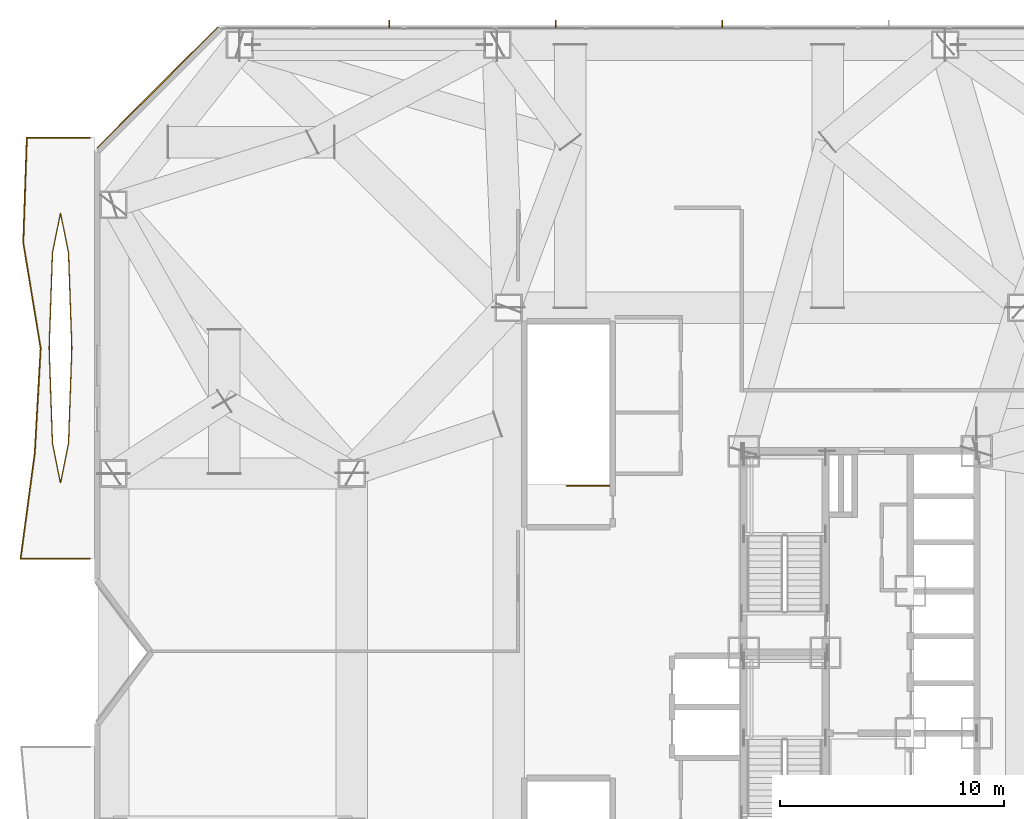
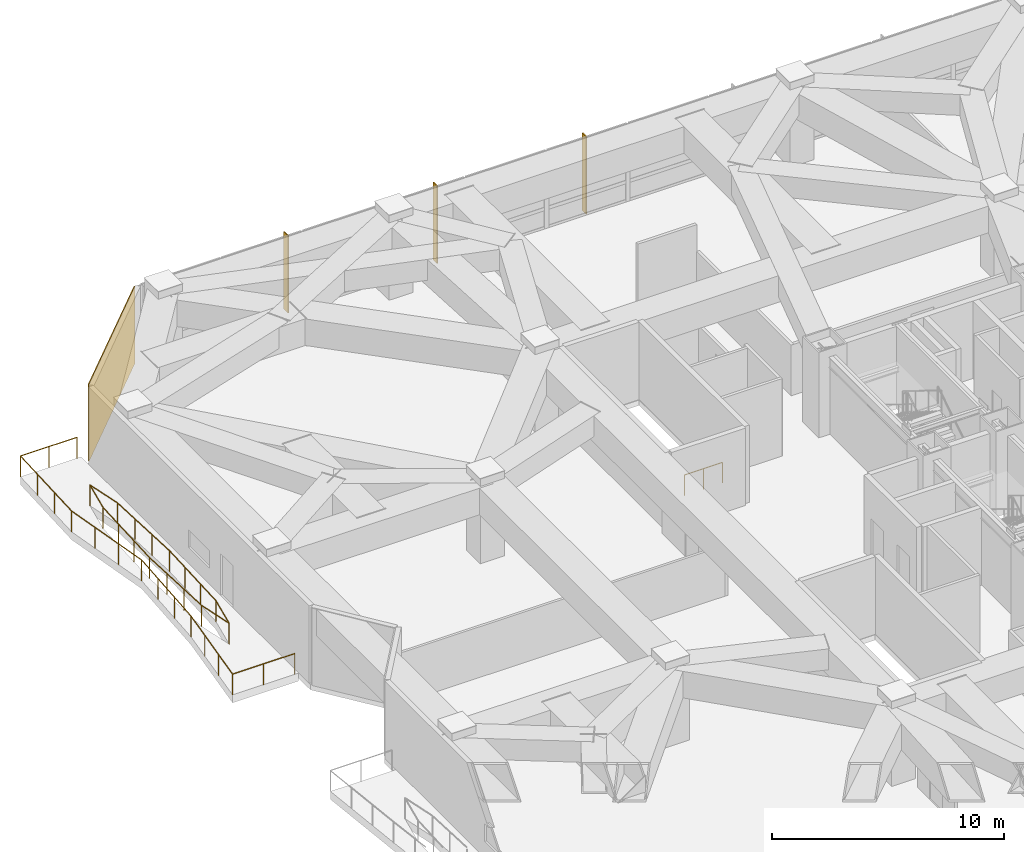
# One storey, part 25 of 27: 5 railings, 3 shading devices, 1 covering.
"""IFC4 building model written with IfcOpenShell, lengths in metres."""

import ifcopenshell
import ifcopenshell.guid

model = None  # the IFC model being written
_history = None  # IfcOwnerHistory: only IFC2X3 demands one
_inside = {}  # id of a spatial element -> (the spatial element, [elements in it])
_under = {}  # id of a project, library or spatial element -> (it, [spatial elements below it])
_declared = {}  # id of a project -> (the project, [libraries it declares])
_typed = {}  # id of a type object -> (the type object, [elements of that type])
_made_of = {}  # id of a material, layer set ... -> (it, [elements and type objects made of it])


def new_model(schema):
    """Start an empty IFC model of exactly this schema.

    Asked for "IFC4X3", IfcOpenShell would pick the latest addendum, in which some entities
    have other attributes; the version numbers below select the first issue.
    IFC2X3 requires an IfcOwnerHistory on every rooted entity: one is made here for all.
    """
    global model, _history
    if schema == "IFC4X3":
        model = ifcopenshell.file(schema_version=(4, 3, 0, 0))
    else:
        model = ifcopenshell.file(schema=schema)
    _inside.clear()
    _under.clear()
    _declared.clear()
    _typed.clear()
    _made_of.clear()
    _history = None
    if model.schema == "IFC2X3":
        org = make("IfcOrganization", Name="unknown")
        user = make(
            "IfcPersonAndOrganization",
            ThePerson=make("IfcPerson", FamilyName="unknown"),
            TheOrganization=org,
        )
        app = make(
            "IfcApplication",
            ApplicationDeveloper=org,
            Version="unknown",
            ApplicationFullName="unknown",
            ApplicationIdentifier="unknown",
        )
        _history = make(
            "IfcOwnerHistory",
            OwningUser=user,
            OwningApplication=app,
            ChangeAction="ADDED",
            CreationDate=0,
        )
    return model


def make(cls, **values):
    """One entity of the class cls with the attributes given. An attribute that is None is left unset."""
    return model.create_entity(
        cls, **{name: value for name, value in values.items() if value is not None}
    )


def rooted(cls, **values):
    """An entity with a GlobalId (a new one), such as an element, a storey or a relation."""
    return make(cls, GlobalId=ifcopenshell.guid.new(), OwnerHistory=_history, **values)


def si_unit(unit_type, name, prefix=None):
    """IfcSIUnit, for example si_unit("LENGTHUNIT", "METRE", prefix="MILLI")."""
    return make("IfcSIUnit", UnitType=unit_type, Prefix=prefix, Name=name)


def assignment(units):
    """IfcUnitAssignment: the units of a project."""
    return None if units is None else make("IfcUnitAssignment", Units=units)


def point(xyz):
    """IfcCartesianPoint."""
    return None if xyz is None else make("IfcCartesianPoint", Coordinates=xyz)


def direction(xyz):
    """IfcDirection."""
    return None if xyz is None else make("IfcDirection", DirectionRatios=xyz)


def frame(location, z_axis=None, x_axis=None):
    """IfcAxis2Placement3D, a coordinate frame: its origin and axes. An axis left out is left unset."""
    return make(
        "IfcAxis2Placement3D",
        Location=point(location),
        Axis=direction(z_axis),
        RefDirection=direction(x_axis),
    )


def frame_2d(location, x_axis=None):
    """IfcAxis2Placement2D, a coordinate frame in the plane: its origin and x axis."""
    return make(
        "IfcAxis2Placement2D", Location=point(location), RefDirection=direction(x_axis)
    )


def origin():
    """The frame at (0, 0, 0) with its axes left unset."""
    return frame((0.0, 0.0, 0.0))


def origin_2d():
    """The frame at (0, 0) in the plane with its x axis left unset."""
    return frame_2d((0.0, 0.0))


def place(relative_to, where):
    """IfcLocalPlacement: puts the frame where relative to a parent placement (None: the world)."""
    return make(
        "IfcLocalPlacement", PlacementRelTo=relative_to, RelativePlacement=where
    )


def context(
    kind, dimensions, precision=None, world=None, true_north=None, identifier=None
):
    """IfcGeometricRepresentationContext, for example the 3D "Model" context."""
    return make(
        "IfcGeometricRepresentationContext",
        ContextIdentifier=identifier,
        ContextType=kind,
        CoordinateSpaceDimension=dimensions,
        Precision=precision,
        WorldCoordinateSystem=world,
        TrueNorth=true_north,
    )


def subcontext(parent, identifier, kind, view, scale=None):
    """IfcGeometricRepresentationSubContext, for example "Body" below "Model"."""
    return make(
        "IfcGeometricRepresentationSubContext",
        ContextIdentifier=identifier,
        ContextType=kind,
        ParentContext=parent,
        TargetScale=scale,
        TargetView=view,
    )


def project(units=None, contexts=None):
    """IfcProject with its units and contexts."""
    return rooted(
        "IfcProject",
        Name="project",
        RepresentationContexts=contexts,
        UnitsInContext=assignment(units),
    )


def spatial(cls, under=None, at=None, **own):
    """A site, building, storey or space (cls), placed at a placement, below another one or the project."""
    s = rooted(cls, ObjectPlacement=at, **own)
    if under is not None:
        _under.setdefault(under.id(), (under, []))[1].append(s)
    return s


def profile(cls, at=None, kind="AREA", **sizes):
    """A parametric profile (cls). Its sizes go by their IFC names, for example OverallWidth=200.0."""
    return make(cls, ProfileType=kind, Position=at, **sizes)


def rectangle(**sizes):
    """IfcRectangleProfileDef."""
    return profile("IfcRectangleProfileDef", **sizes)


def circle(**sizes):
    """IfcCircleProfileDef."""
    return profile("IfcCircleProfileDef", **sizes)


def extrude(swept, where, along, depth):
    """IfcExtrudedAreaSolid: the profile swept, set in the frame where, extruded along a direction by depth."""
    return make(
        "IfcExtrudedAreaSolid",
        SweptArea=swept,
        Position=where,
        ExtrudedDirection=direction(along),
        Depth=depth,
    )


def shape(context_of_items, identifier, shape_type, items):
    """IfcShapeRepresentation: the items that make up one representation, for example the "Body"."""
    return make(
        "IfcShapeRepresentation",
        ContextOfItems=context_of_items,
        RepresentationIdentifier=identifier,
        RepresentationType=shape_type,
        Items=items,
    )


def material(Name=None, Category=None):
    """IfcMaterial."""
    return make("IfcMaterial", Name=Name, Category=Category)


def layer(
    of_material, thickness, ventilated=None, Name=None, Category=None, Priority=None
):
    """IfcMaterialLayer: one layer of a wall or slab, of a material (None: an air gap)."""
    return make(
        "IfcMaterialLayer",
        Material=of_material,
        LayerThickness=thickness,
        IsVentilated=ventilated,
        Name=Name,
        Category=Category,
        Priority=Priority,
    )


def layer_set(layers, Name=None):
    """IfcMaterialLayerSet."""
    return make("IfcMaterialLayerSet", MaterialLayers=layers, LayerSetName=Name)


def made_of(thing, what):
    """Note that an element or type object is made of a material, layer set ...; save() writes the relation."""
    if what is not None:
        _made_of.setdefault(what.id(), (what, []))[1].append(thing)
    return thing


def type_object(cls, material=None, **own):
    """A type object (cls), such as IfcWallType, which elements share."""
    return made_of(rooted(cls, **own), material)


def element(
    cls,
    number,
    at=None,
    inside=None,
    cuts=None,
    type_object=None,
    material=None,
    context=None,
    identifier="Body",
    shape_type=None,
    held_by="IfcProductDefinitionShape",
    body=None,
    shapes=None,
    **own,
):
    """One element of the class cls, such as IfcWall. Its Tag is "e" and its number.

    at: its placement. inside: the storey or other place that contains it. cuts: it is an
    opening in that element (IfcRelVoidsElement). A single representation is given by context,
    identifier, shape_type and body (its items); several are given by shapes. held_by: the class
    of the entity that holds the representations. save() writes the other relations.
    """
    e = rooted(cls, Tag="e%d" % number, ObjectPlacement=at, **own)
    if body is not None:
        shapes = [shape(context, identifier, shape_type, body)]
    if shapes is not None:
        e.Representation = make(held_by, Representations=shapes)
    if inside is not None:
        _inside.setdefault(inside.id(), (inside, []))[1].append(e)
    if cuts is not None:
        rooted(
            "IfcRelVoidsElement", RelatingBuildingElement=cuts, RelatedOpeningElement=e
        )
    if type_object is not None:
        _typed.setdefault(type_object.id(), (type_object, []))[1].append(e)
    return made_of(e, material)


def aggregate(whole, parts):
    """IfcRelAggregates: a whole, such as a stair, and the parts it consists of."""
    return rooted("IfcRelAggregates", RelatingObject=whole, RelatedObjects=parts)


def save(model, path):
    """Write the relations noted so far, then the file.

    IfcRelAggregates (storeys below a building ...), IfcRelContainedInSpatialStructure (elements
    in a storey), IfcRelDefinesByType, IfcRelAssociatesMaterial and IfcRelDeclares: one each for
    every whole, place, type object, material and project.
    """
    for whole, parts in _under.values():
        aggregate(whole, parts)
    for where, things in _inside.values():
        rooted(
            "IfcRelContainedInSpatialStructure",
            RelatedElements=things,
            RelatingStructure=where,
        )
    for kind, things in _typed.values():
        rooted("IfcRelDefinesByType", RelatedObjects=things, RelatingType=kind)
    for what, things in _made_of.values():
        rooted("IfcRelAssociatesMaterial", RelatedObjects=things, RelatingMaterial=what)
    for by, libraries in _declared.values():
        rooted("IfcRelDeclares", RelatingContext=by, RelatedDefinitions=libraries)
    model.write(path)


model = new_model("IFC4")

# Units and contexts
model_context = context("Model", 3, precision=1e-05, world=origin(), true_north=direction((0.0, 1.0)))
body_context = subcontext(model_context, "Body", "Model", "MODEL_VIEW")
ifc_project = project(units=[si_unit("LENGTHUNIT", "METRE"), si_unit("AREAUNIT", "SQUARE_METRE"), si_unit("VOLUMEUNIT", "CUBIC_METRE"), si_unit("PLANEANGLEUNIT", "RADIAN"), si_unit("MASSUNIT", "GRAM", prefix="KILO")], contexts=[model_context])

# Site, building, storey
site_placement = place(None, origin())
site = spatial("IfcSite", under=ifc_project, at=site_placement, CompositionType="ELEMENT")
building_placement = place(site_placement, origin())
building = spatial("IfcBuilding", under=site, at=building_placement, Name="Khamvora Tower", CompositionType="ELEMENT")
storey_placement = place(building_placement, frame((0.0, 0.0, 28.800048828125)))
storey = spatial("IfcBuildingStorey", under=building, at=storey_placement, Name="L06", CompositionType="ELEMENT", Elevation=28.800048828125)

# Covering
ifc_material_1 = material(Name="Pale Anodised Aluminium Rainscreen Panel", Category="aluminium")
ifc_layer = layer(ifc_material_1, 0.044921875)
ifc_layer_set = layer_set([ifc_layer], Name="Pale Anodised Aluminium Rainscreen Panel")
covering_type = type_object("IfcCoveringType", Name="COV-CLD-ALU", PredefinedType="CLADDING", material=ifc_layer_set)
covering_placement = place(storey_placement, frame((2.81494140625, 53.239990234375, 0.0), z_axis=(0.0, 0.0, 1.0), x_axis=(0.707106781187, 0.707106781187, 0.0)))
element("IfcCovering", 1, at=covering_placement, inside=storey, type_object=covering_type, Name="L06 chamfer rainscreen cladding 06.1", PredefinedType="CLADDING", context=body_context, shape_type="SweptSolid", body=[
    extrude(rectangle(XDim=7.64306640625, YDim=0.044921875, at=origin_2d()), origin(), (0.0, 0.0, 1.0), 4.080078125),
])

# Railings
ifc_material_2 = material(Name="Stainless Steel 316 and Laminated Glass", Category="steel")
railing_type_1 = type_object("IfcRailingType", Name="RAL-GAL-1120", PredefinedType="GUARDRAIL", material=ifc_material_2)
railing_1_placement = place(storey_placement, frame((-0.199951171875, 32.199951171875, 0.0)))
element("IfcRailing", 2, at=railing_1_placement, inside=storey, type_object=railing_type_1, Name="L06 lens gallery south perimeter guardrail WL2", PredefinedType="GUARDRAIL", context=body_context, shape_type="SweptSolid", body=[
    extrude(circle(Radius=0.02392578125, at=origin_2d()), frame((0.0, 0.0, 1.09619140625), z_axis=(-1.0, 0.0, 0.0), x_axis=(0.0, -1.0, 0.0)), (0.0, 0.0, 1.0), 3.10009765625),
    extrude(circle(Radius=0.02392578125, at=origin_2d()), frame((-3.10009765625, 0.0, 1.09619140625), z_axis=(0.133488830384, 0.991050317674, 0.0), x_axis=(-0.991050317674, 0.133488830384, 0.0)), (0.0, 0.0, 1.0), 4.742431640625),
    extrude(circle(Radius=0.02392578125, at=origin_2d()), frame((-2.467041015625, 4.699951171875, 1.09619140625), z_axis=(0.055854908118, 0.998438896097, 0.0), x_axis=(-0.998438896097, 0.055854908118, 0.0)), (0.0, 0.0, 1.0), 4.70751953125),
    extrude(circle(Radius=0.02099609375, at=origin_2d()), origin(), (0.0, 0.0, 1.0), 1.072021484375),
    extrude(circle(Radius=0.02099609375, at=origin_2d()), frame((-1.550048828125, 0.0, 0.0)), (0.0, 0.0, 1.0), 1.072021484375),
    extrude(circle(Radius=0.02099609375, at=origin_2d()), frame((-3.10009765625, 0.0, 0.0)), (0.0, 0.0, 1.0), 1.072021484375),
    extrude(circle(Radius=0.02099609375, at=origin_2d()), frame((-2.88916015625, 1.566650390625, 0.0)), (0.0, 0.0, 1.0), 1.072021484375),
    extrude(circle(Radius=0.02099609375, at=origin_2d()), frame((-2.677978515625, 3.13330078125, 0.0)), (0.0, 0.0, 1.0), 1.072021484375),
    extrude(circle(Radius=0.02099609375, at=origin_2d()), frame((-2.467041015625, 4.699951171875, 0.0)), (0.0, 0.0, 1.0), 1.072021484375),
    extrude(circle(Radius=0.02099609375, at=origin_2d()), frame((-2.37939453125, 6.2666015625, 0.0)), (0.0, 0.0, 1.0), 1.072021484375),
    extrude(circle(Radius=0.02099609375, at=origin_2d()), frame((-2.291748046875, 7.83349609375, 0.0)), (0.0, 0.0, 1.0), 1.072021484375),
    extrude(circle(Radius=0.02099609375, at=origin_2d()), frame((-2.2041015625, 9.400146484375, 0.0)), (0.0, 0.0, 1.0), 1.072021484375),
])
railing_2_placement = place(storey_placement, frame((-2.404052734375, 41.60009765625, 0.0)))
element("IfcRailing", 3, at=railing_2_placement, inside=storey, type_object=railing_type_1, Name="L06 lens gallery north perimeter guardrail WL2", PredefinedType="GUARDRAIL", context=body_context, shape_type="SweptSolid", body=[
    extrude(circle(Radius=0.02392578125, at=origin_2d()), frame((0.0, 0.0, 1.09619140625), z_axis=(-0.162877863416, 0.986646239343, 0.0), x_axis=(-0.986646239343, -0.162877863416, 0.0)), (0.0, 0.0, 1.0), 4.763671875),
    extrude(circle(Radius=0.02392578125, at=origin_2d()), frame((-0.77587890625, 4.699951171875, 1.09619140625), z_axis=(0.033797106291, 0.99942871462, 0.0), x_axis=(-0.99942871462, 0.033797106291, 0.0)), (0.0, 0.0, 1.0), 4.70263671875),
    extrude(circle(Radius=0.02392578125, at=origin_2d()), frame((-0.616943359375, 9.39990234375, 1.09619140625), z_axis=(1.0, 0.0, 0.0), x_axis=(0.0, 1.0, 0.0)), (0.0, 0.0, 1.0), 2.821044921875),
    extrude(circle(Radius=0.02099609375, at=origin_2d()), origin(), (0.0, 0.0, 1.0), 1.072021484375),
    extrude(circle(Radius=0.02099609375, at=origin_2d()), frame((-0.258544921875, 1.566650390625, 0.0)), (0.0, 0.0, 1.0), 1.072021484375),
    extrude(circle(Radius=0.02099609375, at=origin_2d()), frame((-0.517333984375, 3.13330078125, 0.0)), (0.0, 0.0, 1.0), 1.072021484375),
    extrude(circle(Radius=0.02099609375, at=origin_2d()), frame((-0.77587890625, 4.699951171875, 0.0)), (0.0, 0.0, 1.0), 1.072021484375),
    extrude(circle(Radius=0.02099609375, at=origin_2d()), frame((-0.722900390625, 6.2666015625, 0.0)), (0.0, 0.0, 1.0), 1.072021484375),
    extrude(circle(Radius=0.02099609375, at=origin_2d()), frame((-0.669921875, 7.833251953125, 0.0)), (0.0, 0.0, 1.0), 1.072021484375),
    extrude(circle(Radius=0.02099609375, at=origin_2d()), frame((-0.616943359375, 9.39990234375, 0.0)), (0.0, 0.0, 1.0), 1.072021484375),
    extrude(circle(Radius=0.02099609375, at=origin_2d()), frame((0.79345703125, 9.39990234375, 0.0)), (0.0, 0.0, 1.0), 1.072021484375),
    extrude(circle(Radius=0.02099609375, at=origin_2d()), frame((2.2041015625, 9.39990234375, 0.0)), (0.0, 0.0, 1.0), 1.072021484375),
])
railing_3_placement = place(storey_placement, frame((-1.010986328125, 41.60009765625, 0.0)))
element("IfcRailing", 4, at=railing_3_placement, inside=storey, type_object=railing_type_1, Name="L06 lens gallery void guardrail WL2A", PredefinedType="GUARDRAIL", context=body_context, shape_type="SweptSolid", body=[
    extrude(circle(Radius=0.02392578125, at=origin_2d()), frame((0.0, 0.0, 1.09619140625), z_axis=(-0.034758598303, 0.999395737355, 0.0), x_axis=(-0.999395737355, -0.034758598303, 0.0)), (0.0, 0.0, 1.0), 4.256591796875),
    extrude(circle(Radius=0.02392578125, at=origin_2d()), frame((-0.14794921875, 4.25390625, 1.09619140625), z_axis=(-0.198022438185, 0.980197487232, 0.0), x_axis=(-0.980197487232, -0.198022438185, 0.0)), (0.0, 0.0, 1.0), 1.797607421875),
    extrude(circle(Radius=0.02392578125, at=origin_2d()), frame((-0.50390625, 6.015869140625, 1.09619140625), z_axis=(-0.198152924969, -0.98017111686, 0.0), x_axis=(0.98017111686, -0.198152924969, 0.0)), (0.0, 0.0, 1.0), 1.797607421875),
    extrude(circle(Radius=0.02392578125, at=origin_2d()), frame((-0.860107421875, 4.25390625, 1.09619140625), z_axis=(-0.034758598303, -0.999395737355, 0.0), x_axis=(0.999395737355, -0.034758598303, 0.0)), (0.0, 0.0, 1.0), 4.256591796875),
    extrude(circle(Radius=0.02099609375, at=origin_2d()), origin(), (0.0, 0.0, 1.0), 1.072021484375),
    extrude(circle(Radius=0.02099609375, at=origin_2d()), frame((-0.04931640625, 1.41796875, 0.0)), (0.0, 0.0, 1.0), 1.072021484375),
    extrude(circle(Radius=0.02099609375, at=origin_2d()), frame((-0.0986328125, 2.8359375, 0.0)), (0.0, 0.0, 1.0), 1.072021484375),
    extrude(circle(Radius=0.02099609375, at=origin_2d()), frame((-0.14794921875, 4.25390625, 0.0)), (0.0, 0.0, 1.0), 1.072021484375),
    extrude(circle(Radius=0.02099609375, at=origin_2d()), frame((-0.50390625, 6.015869140625, 0.0)), (0.0, 0.0, 1.0), 1.072021484375),
    extrude(circle(Radius=0.02099609375, at=origin_2d()), frame((-0.860107421875, 4.25390625, 0.0)), (0.0, 0.0, 1.0), 1.072021484375),
    extrude(circle(Radius=0.02099609375, at=origin_2d()), frame((-0.909423828125, 2.8359375, 0.0)), (0.0, 0.0, 1.0), 1.072021484375),
    extrude(circle(Radius=0.02099609375, at=origin_2d()), frame((-0.958740234375, 1.41796875, 0.0)), (0.0, 0.0, 1.0), 1.072021484375),
    extrude(circle(Radius=0.02099609375, at=origin_2d()), frame((-1.008056640625, 0.0, 0.0)), (0.0, 0.0, 1.0), 1.072021484375),
])
railing_4_placement = place(storey_placement, frame((-2.01904296875, 41.60009765625, 0.0)))
element("IfcRailing", 5, at=railing_4_placement, inside=storey, type_object=railing_type_1, Name="L06 lens gallery void guardrail WL2B", PredefinedType="GUARDRAIL", context=body_context, shape_type="SweptSolid", body=[
    extrude(circle(Radius=0.02392578125, at=origin_2d()), frame((0.0, 0.0, 1.09619140625), z_axis=(0.034756605959, -0.999395806646, 0.0), x_axis=(0.999395806646, 0.034756605959, 0.0)), (0.0, 0.0, 1.0), 4.2568359375),
    extrude(circle(Radius=0.02392578125, at=origin_2d()), frame((0.14794921875, -4.254150390625, 1.09619140625), z_axis=(0.198152924969, -0.98017111686, 0.0), x_axis=(0.98017111686, 0.198152924969, 0.0)), (0.0, 0.0, 1.0), 1.797607421875),
    extrude(circle(Radius=0.02392578125, at=origin_2d()), frame((0.504150390625, -6.01611328125, 1.09619140625), z_axis=(0.198022438185, 0.980197487232, 0.0), x_axis=(-0.980197487232, 0.198022438185, 0.0)), (0.0, 0.0, 1.0), 1.797607421875),
    extrude(circle(Radius=0.02392578125, at=origin_2d()), frame((0.860107421875, -4.254150390625, 1.09619140625), z_axis=(0.034756605959, 0.999395806646, 0.0), x_axis=(-0.999395806646, 0.034756605959, 0.0)), (0.0, 0.0, 1.0), 4.2568359375),
    extrude(circle(Radius=0.02099609375, at=origin_2d()), origin(), (0.0, 0.0, 1.0), 1.072021484375),
    extrude(circle(Radius=0.02099609375, at=origin_2d()), frame((0.04931640625, -1.41796875, 0.0)), (0.0, 0.0, 1.0), 1.072021484375),
    extrude(circle(Radius=0.02099609375, at=origin_2d()), frame((0.0986328125, -2.836181640625, 0.0)), (0.0, 0.0, 1.0), 1.072021484375),
    extrude(circle(Radius=0.02099609375, at=origin_2d()), frame((0.14794921875, -4.254150390625, 0.0)), (0.0, 0.0, 1.0), 1.072021484375),
    extrude(circle(Radius=0.02099609375, at=origin_2d()), frame((0.504150390625, -6.01611328125, 0.0)), (0.0, 0.0, 1.0), 1.072021484375),
    extrude(circle(Radius=0.02099609375, at=origin_2d()), frame((0.860107421875, -4.254150390625, 0.0)), (0.0, 0.0, 1.0), 1.072021484375),
    extrude(circle(Radius=0.02099609375, at=origin_2d()), frame((0.909423828125, -2.836181640625, 0.0)), (0.0, 0.0, 1.0), 1.072021484375),
    extrude(circle(Radius=0.02099609375, at=origin_2d()), frame((0.958740234375, -1.41796875, 0.0)), (0.0, 0.0, 1.0), 1.072021484375),
    extrude(circle(Radius=0.02099609375, at=origin_2d()), frame((1.008056640625, 0.0, 0.0)), (0.0, 0.0, 1.0), 1.072021484375),
])
ifc_material_3 = material(Name="Stainless Steel 316", Category="steel")
railing_type_2 = type_object("IfcRailingType", Name="RAL-STG-1100", PredefinedType="GUARDRAIL", material=ifc_material_3)
railing_5_placement = place(storey_placement, frame((23.0, 35.449951171875, 0.0)))
element("IfcRailing", 6, at=railing_5_placement, inside=storey, type_object=railing_type_2, Name="L06 ST-04 top well guard 1", PredefinedType="GUARDRAIL", context=body_context, shape_type="SweptSolid", body=[
    extrude(circle(Radius=0.02392578125, at=origin_2d()), frame((0.0, 0.0, 1.076171875), z_axis=(-1.0, 0.0, 0.0), x_axis=(0.0, -1.0, 0.0)), (0.0, 0.0, 1.0), 1.89990234375),
    extrude(circle(Radius=0.02099609375, at=origin_2d()), origin(), (0.0, 0.0, 1.0), 1.052001953125),
    extrude(circle(Radius=0.02099609375, at=origin_2d()), frame((-0.949951171875, 0.0, 0.0)), (0.0, 0.0, 1.0), 1.052001953125),
    extrude(circle(Radius=0.02099609375, at=origin_2d()), frame((-1.89990234375, 0.0, 0.0)), (0.0, 0.0, 1.0), 1.052001953125),
])

# Shading devices
ifc_material_4 = material(Name="Anodised Bronze Aluminium 6063-T6", Category="aluminium")
shading_device_type = type_object("IfcShadingDeviceType", Name="SHD-FIN-350", PredefinedType="USERDEFINED", material=ifc_material_4)
for number, where, z_axis, x_axis, name in (
    (7, (13.1640625, 56.077880859375, 0.0), (0.0, 0.0, 1.0), (1.0, 0.0, 0.0), "L06 anodised bronze solar fin 07.01"),
    (8, (20.60107421875, 56.077880859375, 0.0), (0.0, 0.0, 1.0), (1.0, 0.0, 0.0), "L06 anodised bronze solar fin 07.02"),
    (9, (28.0390625, 56.077880859375, 0.0), (0.0, 0.0, 1.0), (1.0, 0.0, 0.0), "L06 anodised bronze solar fin 07.03"),
):
    element("IfcShadingDevice", number, at=place(storey_placement, frame(where, z_axis=z_axis, x_axis=x_axis)), inside=storey, type_object=shading_device_type, Name=name, ObjectType="FIN", PredefinedType="USERDEFINED", context=body_context, shape_type="SweptSolid", body=[
        extrude(rectangle(XDim=0.054931640625, YDim=0.35009765625, at=origin_2d()), origin(), (0.0, 0.0, 1.0), 4.080078125),
    ])

save(model, "model.ifc")
